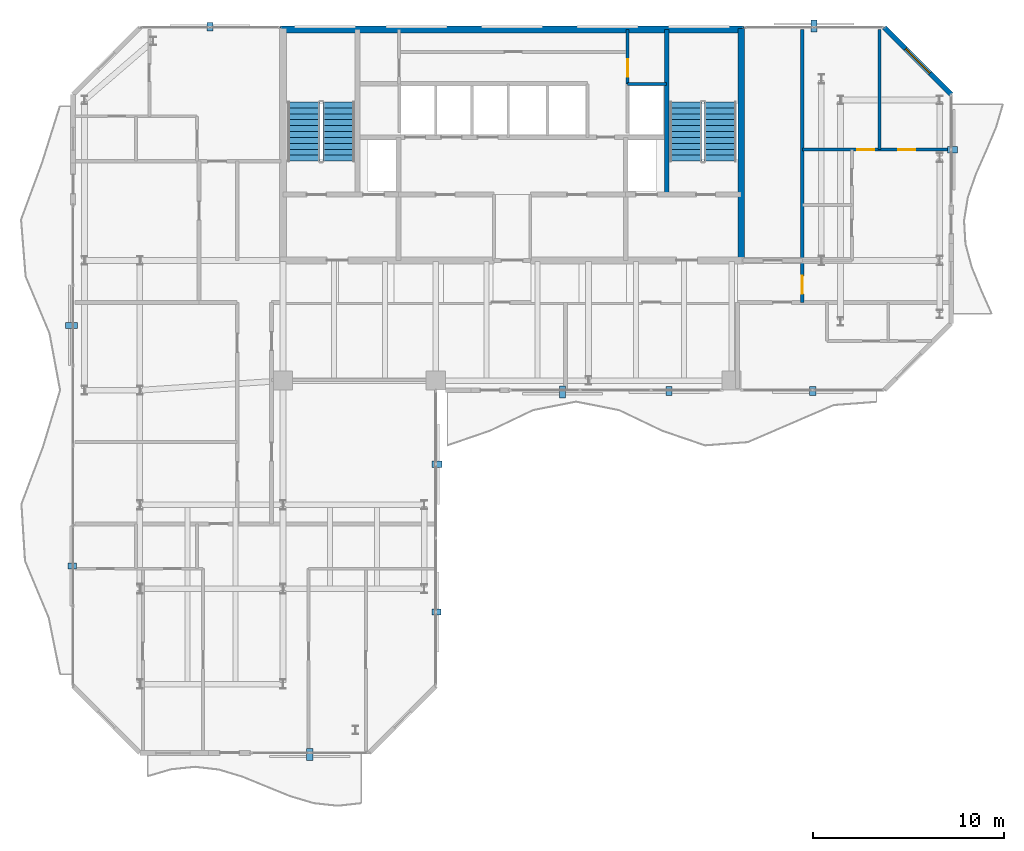
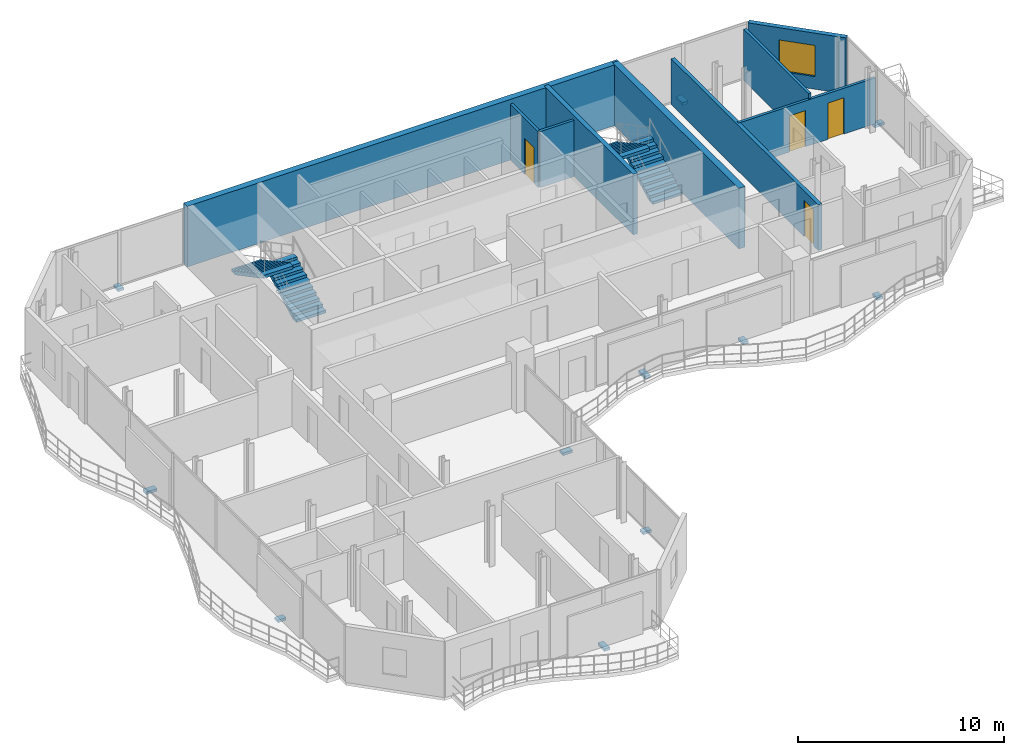
# One storey, part 20 of 23: 11 discrete accessories, 9 walls, 4 doors, 4 stair flights, 1 window, 5 openings, 2 elements without a shape of their own.
"""IFC4 building model written with IfcOpenShell, lengths in metres."""

import ifcopenshell
import ifcopenshell.guid

model = None  # the IFC model being written
_history = None  # IfcOwnerHistory: only IFC2X3 demands one
_inside = {}  # id of a spatial element -> (the spatial element, [elements in it])
_under = {}  # id of a project, library or spatial element -> (it, [spatial elements below it])
_declared = {}  # id of a project -> (the project, [libraries it declares])
_typed = {}  # id of a type object -> (the type object, [elements of that type])
_made_of = {}  # id of a material, layer set ... -> (it, [elements and type objects made of it])


def new_model(schema):
    """Start an empty IFC model of exactly this schema.

    Asked for "IFC4X3", IfcOpenShell would pick the latest addendum, in which some entities
    have other attributes; the version numbers below select the first issue.
    IFC2X3 requires an IfcOwnerHistory on every rooted entity: one is made here for all.
    """
    global model, _history
    if schema == "IFC4X3":
        model = ifcopenshell.file(schema_version=(4, 3, 0, 0))
    else:
        model = ifcopenshell.file(schema=schema)
    _inside.clear()
    _under.clear()
    _declared.clear()
    _typed.clear()
    _made_of.clear()
    _history = None
    if model.schema == "IFC2X3":
        org = make("IfcOrganization", Name="unknown")
        user = make(
            "IfcPersonAndOrganization",
            ThePerson=make("IfcPerson", FamilyName="unknown"),
            TheOrganization=org,
        )
        app = make(
            "IfcApplication",
            ApplicationDeveloper=org,
            Version="unknown",
            ApplicationFullName="unknown",
            ApplicationIdentifier="unknown",
        )
        _history = make(
            "IfcOwnerHistory",
            OwningUser=user,
            OwningApplication=app,
            ChangeAction="ADDED",
            CreationDate=0,
        )
    return model


def make(cls, **values):
    """One entity of the class cls with the attributes given. An attribute that is None is left unset."""
    return model.create_entity(
        cls, **{name: value for name, value in values.items() if value is not None}
    )


def rooted(cls, **values):
    """An entity with a GlobalId (a new one), such as an element, a storey or a relation."""
    return make(cls, GlobalId=ifcopenshell.guid.new(), OwnerHistory=_history, **values)


def si_unit(unit_type, name, prefix=None):
    """IfcSIUnit, for example si_unit("LENGTHUNIT", "METRE", prefix="MILLI")."""
    return make("IfcSIUnit", UnitType=unit_type, Prefix=prefix, Name=name)


def assignment(units):
    """IfcUnitAssignment: the units of a project."""
    return None if units is None else make("IfcUnitAssignment", Units=units)


def point(xyz):
    """IfcCartesianPoint."""
    return None if xyz is None else make("IfcCartesianPoint", Coordinates=xyz)


def direction(xyz):
    """IfcDirection."""
    return None if xyz is None else make("IfcDirection", DirectionRatios=xyz)


def frame(location, z_axis=None, x_axis=None):
    """IfcAxis2Placement3D, a coordinate frame: its origin and axes. An axis left out is left unset."""
    return make(
        "IfcAxis2Placement3D",
        Location=point(location),
        Axis=direction(z_axis),
        RefDirection=direction(x_axis),
    )


def frame_2d(location, x_axis=None):
    """IfcAxis2Placement2D, a coordinate frame in the plane: its origin and x axis."""
    return make(
        "IfcAxis2Placement2D", Location=point(location), RefDirection=direction(x_axis)
    )


def origin():
    """The frame at (0, 0, 0) with its axes left unset."""
    return frame((0.0, 0.0, 0.0))


def origin_2d():
    """The frame at (0, 0) in the plane with its x axis left unset."""
    return frame_2d((0.0, 0.0))


def place(relative_to, where):
    """IfcLocalPlacement: puts the frame where relative to a parent placement (None: the world)."""
    return make(
        "IfcLocalPlacement", PlacementRelTo=relative_to, RelativePlacement=where
    )


def context(
    kind, dimensions, precision=None, world=None, true_north=None, identifier=None
):
    """IfcGeometricRepresentationContext, for example the 3D "Model" context."""
    return make(
        "IfcGeometricRepresentationContext",
        ContextIdentifier=identifier,
        ContextType=kind,
        CoordinateSpaceDimension=dimensions,
        Precision=precision,
        WorldCoordinateSystem=world,
        TrueNorth=true_north,
    )


def subcontext(parent, identifier, kind, view, scale=None):
    """IfcGeometricRepresentationSubContext, for example "Body" below "Model"."""
    return make(
        "IfcGeometricRepresentationSubContext",
        ContextIdentifier=identifier,
        ContextType=kind,
        ParentContext=parent,
        TargetScale=scale,
        TargetView=view,
    )


def project(units=None, contexts=None):
    """IfcProject with its units and contexts."""
    return rooted(
        "IfcProject",
        Name="project",
        RepresentationContexts=contexts,
        UnitsInContext=assignment(units),
    )


def spatial(cls, under=None, at=None, **own):
    """A site, building, storey or space (cls), placed at a placement, below another one or the project."""
    s = rooted(cls, ObjectPlacement=at, **own)
    if under is not None:
        _under.setdefault(under.id(), (under, []))[1].append(s)
    return s


def polyline(points):
    """IfcPolyline through the points."""
    return make("IfcPolyline", Points=[point(p) for p in points])


def profile(cls, at=None, kind="AREA", **sizes):
    """A parametric profile (cls). Its sizes go by their IFC names, for example OverallWidth=200.0."""
    return make(cls, ProfileType=kind, Position=at, **sizes)


def rectangle(**sizes):
    """IfcRectangleProfileDef."""
    return profile("IfcRectangleProfileDef", **sizes)


def outline(outer, holes=None, kind="AREA"):
    """IfcArbitraryClosedProfileDef: a profile drawn as a closed curve; with holes, ...WithVoids."""
    if holes is None:
        return make("IfcArbitraryClosedProfileDef", ProfileType=kind, OuterCurve=outer)
    return make(
        "IfcArbitraryProfileDefWithVoids",
        ProfileType=kind,
        OuterCurve=outer,
        InnerCurves=holes,
    )


def extrude(swept, where, along, depth):
    """IfcExtrudedAreaSolid: the profile swept, set in the frame where, extruded along a direction by depth."""
    return make(
        "IfcExtrudedAreaSolid",
        SweptArea=swept,
        Position=where,
        ExtrudedDirection=direction(along),
        Depth=depth,
    )


def shape(context_of_items, identifier, shape_type, items):
    """IfcShapeRepresentation: the items that make up one representation, for example the "Body"."""
    return make(
        "IfcShapeRepresentation",
        ContextOfItems=context_of_items,
        RepresentationIdentifier=identifier,
        RepresentationType=shape_type,
        Items=items,
    )


def material(Name=None, Category=None):
    """IfcMaterial."""
    return make("IfcMaterial", Name=Name, Category=Category)


def layer(
    of_material, thickness, ventilated=None, Name=None, Category=None, Priority=None
):
    """IfcMaterialLayer: one layer of a wall or slab, of a material (None: an air gap)."""
    return make(
        "IfcMaterialLayer",
        Material=of_material,
        LayerThickness=thickness,
        IsVentilated=ventilated,
        Name=Name,
        Category=Category,
        Priority=Priority,
    )


def layer_set(layers, Name=None):
    """IfcMaterialLayerSet."""
    return make("IfcMaterialLayerSet", MaterialLayers=layers, LayerSetName=Name)


def made_of(thing, what):
    """Note that an element or type object is made of a material, layer set ...; save() writes the relation."""
    if what is not None:
        _made_of.setdefault(what.id(), (what, []))[1].append(thing)
    return thing


def type_object(cls, material=None, **own):
    """A type object (cls), such as IfcWallType, which elements share."""
    return made_of(rooted(cls, **own), material)


def element(
    cls,
    number,
    at=None,
    inside=None,
    cuts=None,
    type_object=None,
    material=None,
    context=None,
    identifier="Body",
    shape_type=None,
    held_by="IfcProductDefinitionShape",
    body=None,
    shapes=None,
    **own,
):
    """One element of the class cls, such as IfcWall. Its Tag is "e" and its number.

    at: its placement. inside: the storey or other place that contains it. cuts: it is an
    opening in that element (IfcRelVoidsElement). A single representation is given by context,
    identifier, shape_type and body (its items); several are given by shapes. held_by: the class
    of the entity that holds the representations. save() writes the other relations.
    """
    e = rooted(cls, Tag="e%d" % number, ObjectPlacement=at, **own)
    if body is not None:
        shapes = [shape(context, identifier, shape_type, body)]
    if shapes is not None:
        e.Representation = make(held_by, Representations=shapes)
    if inside is not None:
        _inside.setdefault(inside.id(), (inside, []))[1].append(e)
    if cuts is not None:
        rooted(
            "IfcRelVoidsElement", RelatingBuildingElement=cuts, RelatedOpeningElement=e
        )
    if type_object is not None:
        _typed.setdefault(type_object.id(), (type_object, []))[1].append(e)
    return made_of(e, material)


def fill(opening, filler):
    """IfcRelFillsElement: the door or window that sits in an opening."""
    return rooted(
        "IfcRelFillsElement",
        RelatingOpeningElement=opening,
        RelatedBuildingElement=filler,
    )


def aggregate(whole, parts):
    """IfcRelAggregates: a whole, such as a stair, and the parts it consists of."""
    return rooted("IfcRelAggregates", RelatingObject=whole, RelatedObjects=parts)


def save(model, path):
    """Write the relations noted so far, then the file.

    IfcRelAggregates (storeys below a building ...), IfcRelContainedInSpatialStructure (elements
    in a storey), IfcRelDefinesByType, IfcRelAssociatesMaterial and IfcRelDeclares: one each for
    every whole, place, type object, material and project.
    """
    for whole, parts in _under.values():
        aggregate(whole, parts)
    for where, things in _inside.values():
        rooted(
            "IfcRelContainedInSpatialStructure",
            RelatedElements=things,
            RelatingStructure=where,
        )
    for kind, things in _typed.values():
        rooted("IfcRelDefinesByType", RelatedObjects=things, RelatingType=kind)
    for what, things in _made_of.values():
        rooted("IfcRelAssociatesMaterial", RelatedObjects=things, RelatingMaterial=what)
    for by, libraries in _declared.values():
        rooted("IfcRelDeclares", RelatingContext=by, RelatedDefinitions=libraries)
    model.write(path)


model = new_model("IFC4")

# Units and contexts
model_context = context("Model", 3, precision=1e-05, world=origin(), true_north=direction((0.0, 1.0)))
body_context = subcontext(model_context, "Body", "Model", "MODEL_VIEW")
ifc_project = project(units=[si_unit("LENGTHUNIT", "METRE"), si_unit("AREAUNIT", "SQUARE_METRE"), si_unit("VOLUMEUNIT", "CUBIC_METRE"), si_unit("PLANEANGLEUNIT", "RADIAN"), si_unit("MASSUNIT", "GRAM", prefix="KILO")], contexts=[model_context])

# Site, building, storey
site_placement = place(None, origin())
site = spatial("IfcSite", under=ifc_project, at=site_placement, CompositionType="ELEMENT")
building_placement = place(site_placement, origin())
building = spatial("IfcBuilding", under=site, at=building_placement, Name="Catumbela Crestline Tower", CompositionType="ELEMENT")
storey_placement = place(building_placement, frame((0.0, 0.0, 201.0)))
storey = spatial("IfcBuildingStorey", under=building, at=storey_placement, Name="L52", CompositionType="ELEMENT", Elevation=201.0)

# Walls
ifc_material_1 = material(Name="Concrete C50/60", Category="concrete")
ifc_layer_1 = layer(ifc_material_1, 0.25, Name="Concrete C50/60")
ifc_layer_set_1 = layer_set([ifc_layer_1], Name="Concrete C50/60")
wall_type_1 = type_object("IfcWallType", Name="CW-250D", PredefinedType="SHEAR", material=ifc_layer_set_1)
wall_1_placement = place(storey_placement, frame((36.1, 34.25, 0.0), z_axis=(0.0, 0.0, 1.0), x_axis=(0.0, 1.0, 0.0)))
element("IfcWall", 1, at=wall_1_placement, inside=storey, type_object=wall_type_1, Name="L52 Structural Core Shear Wall EWEB", PredefinedType="SHEAR", context=body_context, shape_type="SweptSolid", body=[
    extrude(rectangle(XDim=8.65, YDim=0.25, at=frame_2d((4.325, 0.0))), origin(), (0.0, 0.0, 1.0), 3.6),
])
ifc_layer_2 = layer(ifc_material_1, 0.35, Name="Concrete C50/60")
ifc_layer_set_2 = layer_set([ifc_layer_2], Name="Concrete C50/60")
wall_type_2 = type_object("IfcWallType", Name="CW-350B", PredefinedType="SHEAR", material=ifc_layer_set_2)
wall_2_placement = place(storey_placement, frame((40.0, 30.65, 0.0), z_axis=(0.0, 0.0, 1.0), x_axis=(0.0, 1.0, 0.0)))
element("IfcWall", 2, at=wall_2_placement, inside=storey, type_object=wall_type_2, Name="L52 Structural Core Shear Wall E", PredefinedType="SHEAR", context=body_context, shape_type="SweptSolid", body=[
    extrude(rectangle(XDim=12.3, YDim=0.35, at=frame_2d((6.15, 0.0))), origin(), (0.0, 0.0, 1.0), 3.6),
])
ifc_layer_3 = layer(ifc_material_1, 0.35, Name="Concrete C50/60")
ifc_layer_set_3 = layer_set([ifc_layer_3], Name="Concrete C50/60")
wall_type_3 = type_object("IfcWallType", Name="CW-350E", PredefinedType="SHEAR", material=ifc_layer_set_3)
wall_3_placement = place(storey_placement, frame((15.85, 42.9, 0.0), z_axis=(0.0, 0.0, 1.0), x_axis=(1.0, 0.0, 0.0)))
element("IfcWall", 3, at=wall_3_placement, inside=storey, type_object=wall_type_3, Name="L52 Structural Core Shear Wall N", PredefinedType="SHEAR", context=body_context, shape_type="SweptSolid", body=[
    extrude(rectangle(XDim=24.3, YDim=0.35, at=frame_2d((12.15, 0.0))), origin(), (0.0, 0.0, 1.0), 3.6),
])

# Wall, opening, door
ifc_material_2 = material(Name="Acoustic gypsum and mineral-wool partition")
ifc_layer_4 = layer(ifc_material_2, 0.2, Name="Acoustic gypsum and mineral-wool partition")
ifc_layer_set_4 = layer_set([ifc_layer_4], Name="Acoustic gypsum and mineral-wool partition")
wall_type_4 = type_object("IfcWallType", Name="WC-200", PredefinedType="PARTITIONING", material=ifc_layer_set_4)
wall_4_placement = place(storey_placement, frame((43.2, 28.6, 0.0), z_axis=(0.0, 0.0, 1.0), x_axis=(0.0, 1.0, 0.0)))
wall_4 = element("IfcWall", 4, at=wall_4_placement, inside=storey, type_object=wall_type_4, Name="L52 Interior Partition PW-L52-NE1-ENT", PredefinedType="PARTITIONING", context=body_context, shape_type="SweptSolid", body=[
    extrude(rectangle(XDim=14.3, YDim=0.2, at=frame_2d((7.15, 0.0))), origin(), (0.0, 0.0, 1.0), 2.72),
])
opening_1_placement = place(wall_4_placement, frame((0.445, 0.0, 0.0)))
opening_1 = element("IfcOpeningElement", 5, at=opening_1_placement, cuts=wall_4, Name="Opening DF6-095", PredefinedType="OPENING", context=body_context, shape_type="SweptSolid", body=[
    extrude(rectangle(XDim=0.95, YDim=2.15, at=frame_2d((0.475, 1.075))), frame((0.0, 0.11, 0.0), z_axis=(0.0, -1.0, 0.0), x_axis=(1.0, 0.0, 0.0)), (0.0, 0.0, 1.0), 0.22),
])
ifc_material_3 = material(Name="Aluminium alloy AW-6060-T66", Category="aluminium")
door_type_1 = type_object("IfcDoorType", Name="DF6-095", OperationType="NOTDEFINED", PredefinedType="DOOR", material=ifc_material_3)
door_1_placement = place(opening_1_placement, origin())
door_1 = element("IfcDoor", 6, at=door_1_placement, inside=storey, type_object=door_type_1, Name="L52 Interior Door DR-L52-NE1-ENT", OperationType="SINGLE_SWING_LEFT", OverallHeight=2.15, OverallWidth=0.95, PredefinedType="DOOR", context=body_context, shape_type="SweptSolid", body=[
    extrude(rectangle(XDim=0.95, YDim=2.15, at=frame_2d((0.475, 1.075))), frame((0.0, 0.025, 0.0), z_axis=(0.0, -1.0, 0.0), x_axis=(1.0, 0.0, 0.0)), (0.0, 0.0, 1.0), 0.05),
])
fill(opening_1, door_1)

# Wall, opening, window
ifc_material_4 = material(Name="Angolan grey-ochre granite", Category="masonry")
ifc_layer_5 = layer(ifc_material_4, 0.25, Name="Angolan grey-ochre granite")
ifc_layer_set_5 = layer_set([ifc_layer_5], Name="Angolan grey-ochre granite")
wall_type_5 = type_object("IfcWallType", Name="WE-250", PredefinedType="STANDARD", material=ifc_layer_set_5)
wall_5_placement = place(storey_placement, frame((51.0, 39.5, 0.0), z_axis=(0.0, 0.0, 1.0), x_axis=(-0.707106781187, 0.707106781187, 0.0)))
wall_5 = element("IfcWall", 7, at=wall_5_placement, inside=storey, type_object=wall_type_5, Name="L52 Granite Punched Window Wall 6-1", PredefinedType="STANDARD", context=body_context, shape_type="SweptSolid", body=[
    extrude(rectangle(XDim=4.9497, YDim=0.25, at=frame_2d((2.4748, 0.0))), origin(), (0.0, 0.0, 1.0), 3.33),
])
opening_2_placement = place(wall_5_placement, frame((1.5749, 0.0, 0.75)))
opening_2 = element("IfcOpeningElement", 8, at=opening_2_placement, cuts=wall_5, Name="Opening WN-01", PredefinedType="OPENING", context=body_context, shape_type="SweptSolid", body=[
    extrude(rectangle(XDim=1.8, YDim=1.85, at=frame_2d((0.9, 0.925))), frame((0.0, 0.135, 0.0), z_axis=(0.0, -1.0, 0.0), x_axis=(1.0, 0.0, 0.0)), (0.0, 0.0, 1.0), 0.27),
])
ifc_material_5 = material(Name="Low-E laminated solar-control double glazing", Category="glass")
window_type = type_object("IfcWindowType", Name="WF-1800", PartitioningType="SINGLE_PANEL", PredefinedType="WINDOW", material=ifc_material_5)
window_placement = place(opening_2_placement, origin())
window = element("IfcWindow", 9, at=window_placement, inside=storey, type_object=window_type, Name="L52 Facade Vision Window 349", OverallHeight=1.85, OverallWidth=1.8, PartitioningType="SINGLE_PANEL", PredefinedType="WINDOW", context=body_context, shape_type="SweptSolid", body=[
    extrude(rectangle(XDim=1.8, YDim=1.85, at=frame_2d((0.9, 0.925))), frame((0.0, 0.03, 0.0), z_axis=(0.0, -1.0, 0.0), x_axis=(1.0, 0.0, 0.0)), (0.0, 0.0, 1.0), 0.06),
])
fill(opening_2, window)

# Wall
ifc_layer_6 = layer(ifc_material_2, 0.15, Name="Acoustic gypsum and mineral-wool partition")
ifc_layer_set_6 = layer_set([ifc_layer_6], Name="Acoustic gypsum and mineral-wool partition")
wall_type_6 = type_object("IfcWallType", Name="WP-150", PredefinedType="PARTITIONING", material=ifc_layer_set_6)
wall_6_placement = place(storey_placement, frame((34.05, 40.05, 0.0), z_axis=(0.0, 0.0, 1.0), x_axis=(1.0, 0.0, 0.0)))
element("IfcWall", 10, at=wall_6_placement, inside=storey, type_object=wall_type_6, Name="L52 Interior Partition PW-L52-CR-ES", PredefinedType="PARTITIONING", context=body_context, shape_type="SweptSolid", body=[
    extrude(rectangle(XDim=2.05, YDim=0.15, at=frame_2d((1.025, 0.0))), origin(), (0.0, 0.0, 1.0), 3.33),
])

# Wall, opening, door
wall_7_placement = place(storey_placement, frame((34.05, 40.05, 0.0), z_axis=(0.0, 0.0, 1.0), x_axis=(0.0, 1.0, 0.0)))
wall_7 = element("IfcWall", 11, at=wall_7_placement, inside=storey, type_object=wall_type_6, Name="L52 Interior Partition PW-L52-CR-EW", PredefinedType="PARTITIONING", context=body_context, shape_type="SweptSolid", body=[
    extrude(rectangle(XDim=2.85, YDim=0.15, at=frame_2d((1.425, 0.0))), origin(), (0.0, 0.0, 1.0), 3.33),
])
opening_3_placement = place(wall_7_placement, frame((0.385, 0.0, 0.0)))
opening_3 = element("IfcOpeningElement", 12, at=opening_3_placement, cuts=wall_7, Name="Opening DF9-090", PredefinedType="OPENING", context=body_context, shape_type="SweptSolid", body=[
    extrude(rectangle(XDim=0.9, YDim=2.15, at=frame_2d((0.45, 1.075))), frame((0.0, 0.085, 0.0), z_axis=(0.0, -1.0, 0.0), x_axis=(1.0, 0.0, 0.0)), (0.0, 0.0, 1.0), 0.17),
])
ifc_material_6 = material(Name="Stainless steel EN 1.4401", Category="steel")
door_type_2 = type_object("IfcDoorType", Name="DF9-090", OperationType="NOTDEFINED", PredefinedType="DOOR", material=ifc_material_6)
door_2_placement = place(opening_3_placement, origin())
door_2 = element("IfcDoor", 13, at=door_2_placement, inside=storey, type_object=door_type_2, Name="L52 Interior Door DR-L52-CREAST", OperationType="SINGLE_SWING_RIGHT", OverallHeight=2.15, OverallWidth=0.9, PredefinedType="DOOR", context=body_context, shape_type="SweptSolid", body=[
    extrude(rectangle(XDim=0.9, YDim=2.15, at=frame_2d((0.45, 1.075))), frame((0.0, 0.025, 0.0), z_axis=(0.0, -1.0, 0.0), x_axis=(1.0, 0.0, 0.0)), (0.0, 0.0, 1.0), 0.05),
])
fill(opening_3, door_2)

# Wall, openings, doors
wall_8_placement = place(storey_placement, frame((43.2, 36.608, 0.0), z_axis=(0.0, 0.0, 1.0), x_axis=(1.0, 0.0, 0.0)))
wall_8 = element("IfcWall", 14, at=wall_8_placement, inside=storey, type_object=wall_type_6, Name="L52 Interior Partition PW-L52-NE1-KBN", PredefinedType="PARTITIONING", context=body_context, shape_type="SweptSolid", body=[
    extrude(rectangle(XDim=7.7, YDim=0.15, at=frame_2d((3.85, 0.0))), origin(), (0.0, 0.0, 1.0), 2.72),
])
opening_4_placement = place(wall_8_placement, frame((2.875, 0.0, 0.0)))
opening_4 = element("IfcOpeningElement", 15, at=opening_4_placement, cuts=wall_8, Name="Opening DI-090", PredefinedType="OPENING", context=body_context, shape_type="SweptSolid", body=[
    extrude(rectangle(XDim=0.9, YDim=2.15, at=frame_2d((0.45, 1.075))), frame((0.0, 0.085, 0.0), z_axis=(0.0, -1.0, 0.0), x_axis=(1.0, 0.0, 0.0)), (0.0, 0.0, 1.0), 0.17),
])
opening_5_placement = place(wall_8_placement, frame((5.0274, 0.0, 0.0)))
opening_5 = element("IfcOpeningElement", 16, at=opening_5_placement, cuts=wall_8, Name="Opening DI-090", PredefinedType="OPENING", context=body_context, shape_type="SweptSolid", body=[
    extrude(rectangle(XDim=0.9, YDim=2.15, at=frame_2d((0.45, 1.075))), frame((0.0, 0.085, 0.0), z_axis=(0.0, -1.0, 0.0), x_axis=(1.0, 0.0, 0.0)), (0.0, 0.0, 1.0), 0.17),
])
door_type_3 = type_object("IfcDoorType", Name="DI-090", OperationType="NOTDEFINED", PredefinedType="DOOR", material=ifc_material_3)
door_3_placement = place(opening_4_placement, origin())
door_3 = element("IfcDoor", 17, at=door_3_placement, inside=storey, type_object=door_type_3, Name="L52 Interior Door DR-L52-NE1-BD1", OperationType="SINGLE_SWING_LEFT", OverallHeight=2.15, OverallWidth=0.9, PredefinedType="DOOR", context=body_context, shape_type="SweptSolid", body=[
    extrude(rectangle(XDim=0.9, YDim=2.15, at=frame_2d((0.45, 1.075))), frame((0.0, 0.025, 0.0), z_axis=(0.0, -1.0, 0.0), x_axis=(1.0, 0.0, 0.0)), (0.0, 0.0, 1.0), 0.05),
])
fill(opening_4, door_3)
door_4_placement = place(opening_5_placement, origin())
door_4 = element("IfcDoor", 18, at=door_4_placement, inside=storey, type_object=door_type_3, Name="L52 Interior Door DR-L52-NE1-BD2", OperationType="SINGLE_SWING_RIGHT", OverallHeight=2.15, OverallWidth=0.9, PredefinedType="DOOR", context=body_context, shape_type="SweptSolid", body=[
    extrude(rectangle(XDim=0.9, YDim=2.15, at=frame_2d((0.45, 1.075))), frame((0.0, 0.025, 0.0), z_axis=(0.0, -1.0, 0.0), x_axis=(1.0, 0.0, 0.0)), (0.0, 0.0, 1.0), 0.05),
])
fill(opening_5, door_4)

# Wall
wall_9_placement = place(storey_placement, frame((47.25, 36.608, 0.0), z_axis=(0.0, 0.0, 1.0), x_axis=(0.0, 1.0, 0.0)))
element("IfcWall", 19, at=wall_9_placement, inside=storey, type_object=wall_type_6, Name="L52 Interior Partition PW-L52-NE1-BDP", PredefinedType="PARTITIONING", context=body_context, shape_type="SweptSolid", body=[
    extrude(rectangle(XDim=6.292, YDim=0.15, at=frame_2d((3.146, 0.0))), origin(), (0.0, 0.0, 1.0), 3.04),
])

# Stair, stair flights
ifc_material_7 = material(Name="Concrete C45/55", Category="concrete")
stair_type = type_object("IfcStairType", Name="ST-DLG", PredefinedType="HALF_TURN_STAIR", material=ifc_material_7)
stair_1_placement = place(storey_placement, origin())
stair_1 = element("IfcStair", 20, at=stair_1_placement, inside=storey, type_object=stair_type, Name="L52 West Core Pressurised Exit Stair ST-01", PredefinedType="HALF_TURN_STAIR")
stair_flight_type = type_object("IfcStairFlightType", Name="SF-1636", PredefinedType="STRAIGHT", material=ifc_material_7)
stair_flight_1_placement = place(storey_placement, frame((18.92, 36.0, 0.0), z_axis=(0.0, 0.0, 1.0), x_axis=(0.0, 1.0, 0.0)))
stair_flight_1 = element("IfcStairFlight", 21, at=stair_flight_1_placement, type_object=stair_flight_type, Name="ST-01 flight 1", NumberOfRisers=11, NumberOfTreads=10, PredefinedType="STRAIGHT", RiserHeight=0.163636364, TreadLength=0.31, context=body_context, shape_type="SweptSolid", body=[
    extrude(outline(polyline([(0.0, 0.0), (0.0, 0.1636), (0.31, 0.1636), (0.31, 0.3273), (0.62, 0.3273), (0.62, 0.4909), (0.93, 0.4909), (0.93, 0.6545), (1.24, 0.6545), (1.24, 0.8182), (1.55, 0.8182), (1.55, 0.9818), (1.86, 0.9818), (1.86, 1.1455), (2.17, 1.1455), (2.17, 1.3091), (2.48, 1.3091), (2.48, 1.4727), (2.79, 1.4727), (2.79, 1.6364), (3.1, 1.6364), (3.1, 1.8), (3.1, 1.4554), (0.3427, 0.0), (0.0, 0.0)])), frame((0.0, 0.83, 0.0), z_axis=(0.0, -1.0, 0.0), x_axis=(1.0, 0.0, 0.0)), (0.0, 0.0, 1.0), 1.66),
])
stair_flight_2_placement = place(storey_placement, frame((17.08, 39.1, 1.8), z_axis=(0.0, 0.0, 1.0), x_axis=(0.0, -1.0, 0.0)))
stair_flight_2 = element("IfcStairFlight", 22, at=stair_flight_2_placement, type_object=stair_flight_type, Name="ST-01 flight 2", NumberOfRisers=11, NumberOfTreads=10, PredefinedType="STRAIGHT", RiserHeight=0.163636364, TreadLength=0.31, context=body_context, shape_type="SweptSolid", body=[
    extrude(outline(polyline([(0.0, 0.0), (0.0, 0.1636), (0.31, 0.1636), (0.31, 0.3273), (0.62, 0.3273), (0.62, 0.4909), (0.93, 0.4909), (0.93, 0.6545), (1.24, 0.6545), (1.24, 0.8182), (1.55, 0.8182), (1.55, 0.9818), (1.86, 0.9818), (1.86, 1.1455), (2.17, 1.1455), (2.17, 1.3091), (2.48, 1.3091), (2.48, 1.4727), (2.79, 1.4727), (2.79, 1.6364), (3.1, 1.6364), (3.1, 1.8), (3.1, 1.4554), (0.3427, 0.0), (0.0, 0.0)])), frame((0.0, 0.83, 0.0), z_axis=(0.0, -1.0, 0.0), x_axis=(1.0, 0.0, 0.0)), (0.0, 0.0, 1.0), 1.66),
])
aggregate(stair_1, [stair_flight_1, stair_flight_2])

stair_2_placement = place(storey_placement, origin())
stair_2 = element("IfcStair", 23, at=stair_2_placement, inside=storey, type_object=stair_type, Name="L52 East Core Pressurised Exit Stair ST-02", PredefinedType="HALF_TURN_STAIR")
stair_flight_3_placement = place(storey_placement, frame((38.92, 36.0, 0.0), z_axis=(0.0, 0.0, 1.0), x_axis=(0.0, 1.0, 0.0)))
stair_flight_3 = element("IfcStairFlight", 24, at=stair_flight_3_placement, type_object=stair_flight_type, Name="ST-02 flight 1", NumberOfRisers=11, NumberOfTreads=10, PredefinedType="STRAIGHT", RiserHeight=0.163636364, TreadLength=0.31, context=body_context, shape_type="SweptSolid", body=[
    extrude(outline(polyline([(0.0, 0.0), (0.0, 0.1636), (0.31, 0.1636), (0.31, 0.3273), (0.62, 0.3273), (0.62, 0.4909), (0.93, 0.4909), (0.93, 0.6545), (1.24, 0.6545), (1.24, 0.8182), (1.55, 0.8182), (1.55, 0.9818), (1.86, 0.9818), (1.86, 1.1455), (2.17, 1.1455), (2.17, 1.3091), (2.48, 1.3091), (2.48, 1.4727), (2.79, 1.4727), (2.79, 1.6364), (3.1, 1.6364), (3.1, 1.8), (3.1, 1.4554), (0.3427, 0.0), (0.0, 0.0)])), frame((0.0, 0.83, 0.0), z_axis=(0.0, -1.0, 0.0), x_axis=(1.0, 0.0, 0.0)), (0.0, 0.0, 1.0), 1.66),
])
stair_flight_4_placement = place(storey_placement, frame((37.08, 39.1, 1.8), z_axis=(0.0, 0.0, 1.0), x_axis=(0.0, -1.0, 0.0)))
stair_flight_4 = element("IfcStairFlight", 25, at=stair_flight_4_placement, type_object=stair_flight_type, Name="ST-02 flight 2", NumberOfRisers=11, NumberOfTreads=10, PredefinedType="STRAIGHT", RiserHeight=0.163636364, TreadLength=0.31, context=body_context, shape_type="SweptSolid", body=[
    extrude(outline(polyline([(0.0, 0.0), (0.0, 0.1636), (0.31, 0.1636), (0.31, 0.3273), (0.62, 0.3273), (0.62, 0.4909), (0.93, 0.4909), (0.93, 0.6545), (1.24, 0.6545), (1.24, 0.8182), (1.55, 0.8182), (1.55, 0.9818), (1.86, 0.9818), (1.86, 1.1455), (2.17, 1.1455), (2.17, 1.3091), (2.48, 1.3091), (2.48, 1.4727), (2.79, 1.4727), (2.79, 1.6364), (3.1, 1.6364), (3.1, 1.8), (3.1, 1.4554), (0.3427, 0.0), (0.0, 0.0)])), frame((0.0, 0.83, 0.0), z_axis=(0.0, -1.0, 0.0), x_axis=(1.0, 0.0, 0.0)), (0.0, 0.0, 1.0), 1.66),
])
aggregate(stair_2, [stair_flight_3, stair_flight_4])

# Discrete accessories
discrete_accessory_type = type_object("IfcDiscreteAccessoryType", Name="BK-SS1", PredefinedType="BRACKET", material=ifc_material_6)
discrete_accessory_1_placement = place(storey_placement, frame((17.4, 4.915, -0.18), z_axis=(0.0, 0.0, 1.0), x_axis=(1.0, 0.0, 0.0)))
element("IfcDiscreteAccessory", 26, at=discrete_accessory_1_placement, inside=storey, type_object=discrete_accessory_type, Name="L52 Solar Screen Stainless Bracket 624", PredefinedType="BRACKET", context=body_context, shape_type="SweptSolid", body=[
    extrude(rectangle(XDim=0.32, YDim=0.62, at=origin_2d()), origin(), (0.0, 0.0, 1.0), 0.16),
])
discrete_accessory_2_placement = place(storey_placement, frame((24.045, 12.375, -0.18), z_axis=(0.0, 0.0, 1.0), x_axis=(0.0, 1.0, 0.0)))
element("IfcDiscreteAccessory", 27, at=discrete_accessory_2_placement, inside=storey, type_object=discrete_accessory_type, Name="L52 Solar Screen Stainless Bracket 625", PredefinedType="BRACKET", context=body_context, shape_type="SweptSolid", body=[
    extrude(rectangle(XDim=0.32, YDim=0.46, at=origin_2d()), origin(), (0.0, 0.0, 1.0), 0.16),
])
discrete_accessory_3_placement = place(storey_placement, frame((24.065, 20.125, -0.18), z_axis=(0.0, 0.0, 1.0), x_axis=(0.0, 1.0, 0.0)))
element("IfcDiscreteAccessory", 28, at=discrete_accessory_3_placement, inside=storey, type_object=discrete_accessory_type, Name="L52 Solar Screen Stainless Bracket 626", PredefinedType="BRACKET", context=body_context, shape_type="SweptSolid", body=[
    extrude(rectangle(XDim=0.32, YDim=0.54, at=origin_2d()), origin(), (0.0, 0.0, 1.0), 0.16),
])
discrete_accessory_4_placement = place(storey_placement, frame((30.6375, 23.915, -0.18), z_axis=(0.0, 0.0, 1.0), x_axis=(1.0, 0.0, 0.0)))
element("IfcDiscreteAccessory", 29, at=discrete_accessory_4_placement, inside=storey, type_object=discrete_accessory_type, Name="L52 Solar Screen Stainless Bracket 627", PredefinedType="BRACKET", context=body_context, shape_type="SweptSolid", body=[
    extrude(rectangle(XDim=0.32, YDim=0.62, at=origin_2d()), origin(), (0.0, 0.0, 1.0), 0.16),
])
for number, where, z_axis, x_axis, name in (
    (30, (36.2125, 23.955, -0.18), (0.0, 0.0, 1.0), (1.0, 0.0, 0.0), "L52 Solar Screen Stainless Bracket 628"),
    (31, (43.75, 23.955, -0.18), (0.0, 0.0, 1.0), (1.0, 0.0, 0.0), "L52 Solar Screen Stainless Bracket 629"),
):
    element("IfcDiscreteAccessory", number, at=place(storey_placement, frame(where, z_axis=z_axis, x_axis=x_axis)), inside=storey, type_object=discrete_accessory_type, Name=name, PredefinedType="BRACKET", context=body_context, shape_type="SweptSolid", body=[
        extrude(rectangle(XDim=0.32, YDim=0.46, at=origin_2d()), origin(), (0.0, 0.0, 1.0), 0.16),
    ])
discrete_accessory_5_placement = place(storey_placement, frame((51.065, 36.6, -0.18), z_axis=(0.0, 0.0, 1.0), x_axis=(0.0, 1.0, 0.0)))
element("IfcDiscreteAccessory", 32, at=discrete_accessory_5_placement, inside=storey, type_object=discrete_accessory_type, Name="L52 Solar Screen Stainless Bracket 630", PredefinedType="BRACKET", context=body_context, shape_type="SweptSolid", body=[
    extrude(rectangle(XDim=0.32, YDim=0.54, at=origin_2d()), origin(), (0.0, 0.0, 1.0), 0.16),
])
discrete_accessory_6_placement = place(storey_placement, frame((43.82, 43.085, -0.18), z_axis=(0.0, 0.0, 1.0), x_axis=(-1.0, 0.0, 0.0)))
element("IfcDiscreteAccessory", 33, at=discrete_accessory_6_placement, inside=storey, type_object=discrete_accessory_type, Name="L52 Solar Screen Stainless Bracket 631", PredefinedType="BRACKET", context=body_context, shape_type="SweptSolid", body=[
    extrude(rectangle(XDim=0.32, YDim=0.62, at=origin_2d()), origin(), (0.0, 0.0, 1.0), 0.16),
])
discrete_accessory_7_placement = place(storey_placement, frame((12.18, 43.045, -0.18), z_axis=(0.0, 0.0, 1.0), x_axis=(-1.0, 0.0, 0.0)))
element("IfcDiscreteAccessory", 34, at=discrete_accessory_7_placement, inside=storey, type_object=discrete_accessory_type, Name="L52 Solar Screen Stainless Bracket 632", PredefinedType="BRACKET", context=body_context, shape_type="SweptSolid", body=[
    extrude(rectangle(XDim=0.32, YDim=0.46, at=origin_2d()), origin(), (0.0, 0.0, 1.0), 0.16),
])
discrete_accessory_8_placement = place(storey_placement, frame((4.915, 27.4, -0.18), z_axis=(0.0, 0.0, 1.0), x_axis=(0.0, -1.0, 0.0)))
element("IfcDiscreteAccessory", 35, at=discrete_accessory_8_placement, inside=storey, type_object=discrete_accessory_type, Name="L52 Solar Screen Stainless Bracket 633", PredefinedType="BRACKET", context=body_context, shape_type="SweptSolid", body=[
    extrude(rectangle(XDim=0.32, YDim=0.62, at=origin_2d()), origin(), (0.0, 0.0, 1.0), 0.16),
])
discrete_accessory_9_placement = place(storey_placement, frame((4.955, 14.8, -0.18), z_axis=(0.0, 0.0, 1.0), x_axis=(0.0, -1.0, 0.0)))
element("IfcDiscreteAccessory", 36, at=discrete_accessory_9_placement, inside=storey, type_object=discrete_accessory_type, Name="L52 Solar Screen Stainless Bracket 634", PredefinedType="BRACKET", context=body_context, shape_type="SweptSolid", body=[
    extrude(rectangle(XDim=0.32, YDim=0.46, at=origin_2d()), origin(), (0.0, 0.0, 1.0), 0.16),
])

save(model, "model.ifc")
